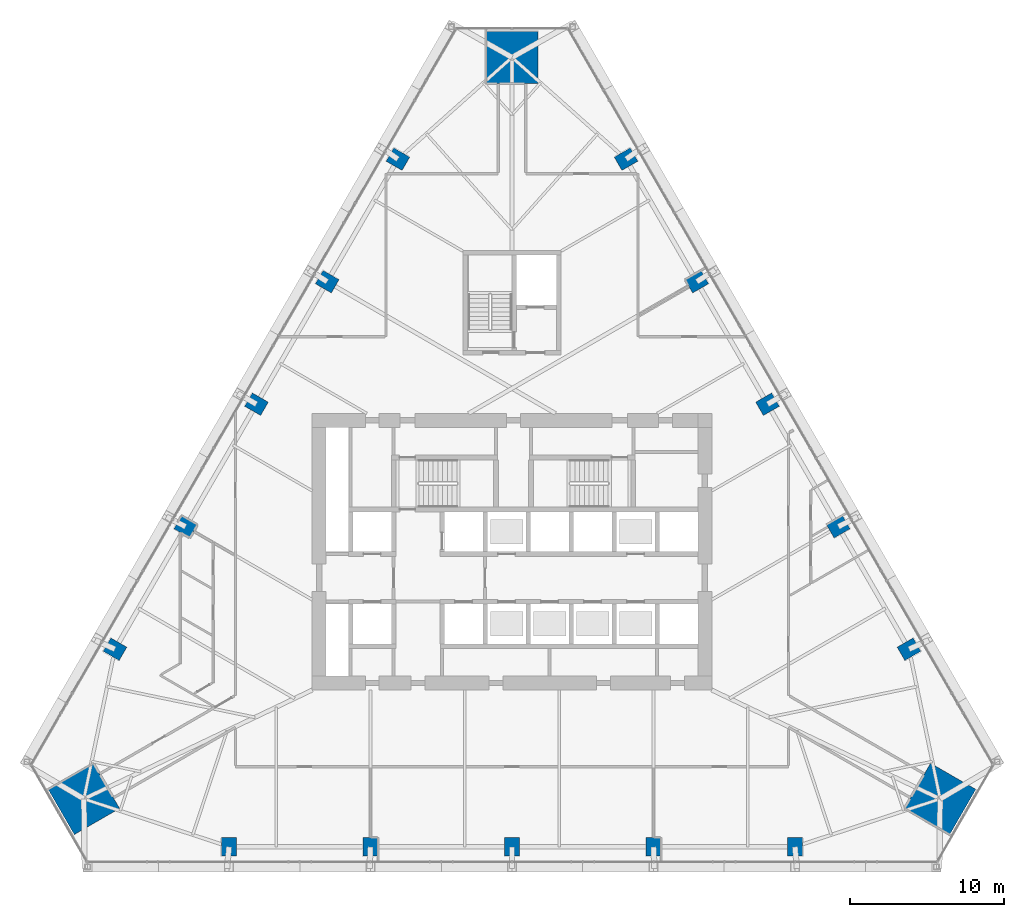
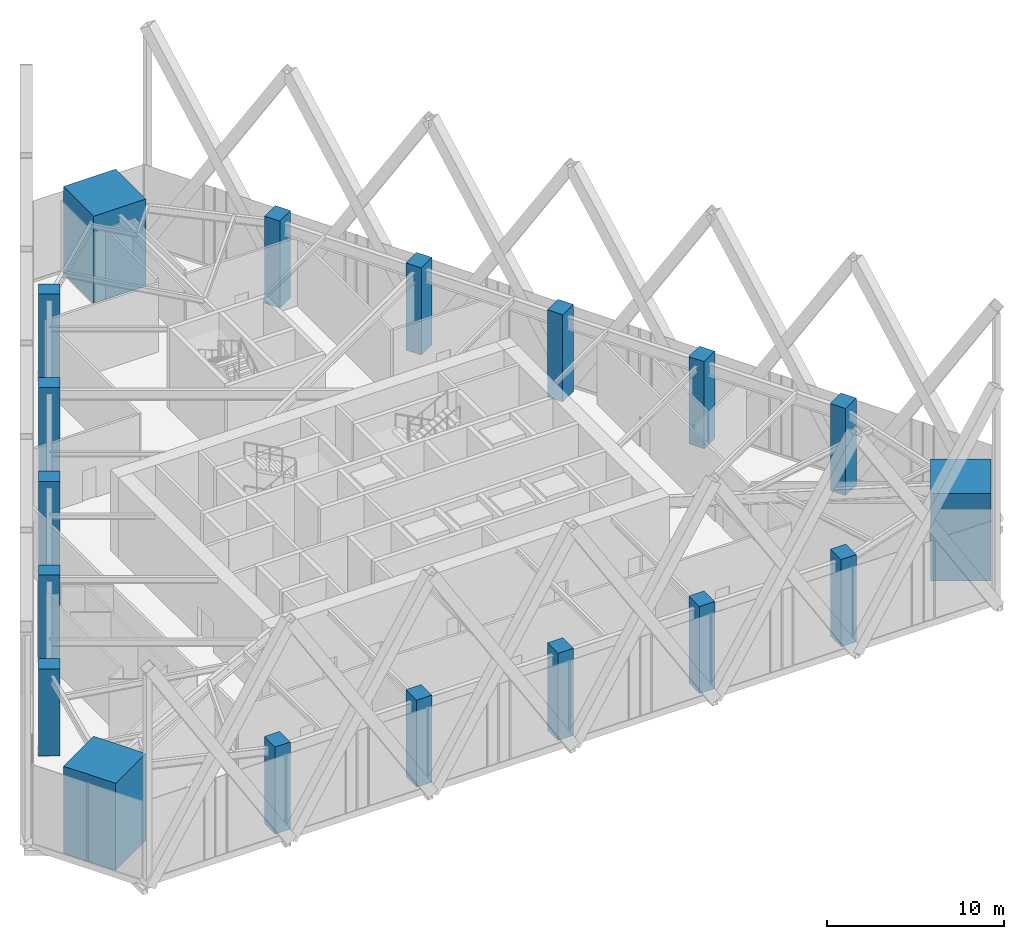
# One storey, part 1 of 21: 18 columns.
"""IFC4 building model written with IfcOpenShell, lengths in metres."""

from ifc_helpers import new_model, si_unit, direction, frame, origin, origin_2d, place, context, subcontext, project, spatial, rectangle, extrude, material, material_profile, profile_set, type_object, element, save


model = new_model("IFC4")

# Units and contexts
model_context = context("Model", 3, precision=1e-05, world=origin(), true_north=direction((0.0, 1.0)))
body_context = subcontext(model_context, "Body", "Model", "MODEL_VIEW")
ifc_project = project(units=[si_unit("LENGTHUNIT", "METRE"), si_unit("AREAUNIT", "SQUARE_METRE"), si_unit("VOLUMEUNIT", "CUBIC_METRE"), si_unit("PLANEANGLEUNIT", "RADIAN"), si_unit("MASSUNIT", "GRAM", prefix="KILO")], contexts=[model_context])

# Site, building, storey
site_placement = place(None, origin())
site = spatial("IfcSite", under=ifc_project, at=site_placement, CompositionType="ELEMENT")
building_placement = place(site_placement, origin())
building = spatial("IfcBuilding", under=site, at=building_placement, Name="Firuza Gate Tower and Library", CompositionType="ELEMENT")
storey_placement = place(building_placement, frame((0.0, 0.0, 140.800048828125)))
storey = spatial("IfcBuildingStorey", under=building, at=storey_placement, Name="L32", CompositionType="ELEMENT", Elevation=140.800048828125)

# Columns
ifc_material_1 = material(Name="Concrete C80/95", Category="concrete")
ifc_material_profile_1 = material_profile(ifc_material_1, rectangle(XDim=3.39990234375, YDim=3.39990234375, at=origin_2d()))
ifc_profile_set_1 = profile_set([ifc_material_profile_1], Name="Concrete C80/95")
column_type_1 = type_object("IfcColumnType", Name="Mega column 3400x3400 C80/95", PredefinedType="COLUMN", material=ifc_profile_set_1)
for number, where, z_axis, x_axis, name in (
    (1, (102.861328125, 58.914306640625, 0.0), (0.0, 0.0, 1.0), (0.5, 0.866025403784, 0.0), "Mega column SE L32"),
    (2, (75.0, 107.171630859375, 0.0), (0.0, 0.0, 1.0), (-1.0, 0.0, 0.0), "Mega column N L32"),
    (3, (47.138671875, 58.914306640625, 0.0), (0.0, 0.0, 1.0), (0.5, -0.866025403784, 0.0), "Mega column SW L32"),
):
    element("IfcColumn", number, at=place(storey_placement, frame(where, z_axis=z_axis, x_axis=x_axis)), inside=storey, type_object=column_type_1, Name=name, PredefinedType="COLUMN", context=body_context, shape_type="SweptSolid", body=[
        extrude(rectangle(XDim=3.39990234375, YDim=3.39990234375, at=origin_2d()), origin(), (0.0, 0.0, 1.0), 6.0),
    ])
ifc_material_2 = material(Name="Concrete C60/75", Category="concrete")
ifc_material_profile_2 = material_profile(ifc_material_2, rectangle(XDim=1.0, YDim=1.199951171875, at=origin_2d()))
ifc_profile_set_2 = profile_set([ifc_material_profile_2], Name="Concrete C60/75")
column_type_2 = type_object("IfcColumnType", Name="Perimeter column 1000x1200 C60/75", PredefinedType="COLUMN", material=ifc_profile_set_2)
for number, where, z_axis, x_axis, name in (
    (4, (56.58642578125, 55.796630859375, -0.00048828125), (0.0, 0.0, 1.0), (1.0, 0.0, 0.0), "Column S1 L32"),
    (5, (65.793212890625, 55.796630859375, -0.00048828125), (0.0, 0.0, 1.0), (1.0, 0.0, 0.0), "Column S2 L32"),
    (6, (75.0, 55.796630859375, -0.00048828125), (0.0, 0.0, 1.0), (1.0, 0.0, 0.0), "Column S3 L32"),
    (7, (84.206787109375, 55.796630859375, -0.00048828125), (0.0, 0.0, 1.0), (1.0, 0.0, 0.0), "Column S4 L32"),
    (8, (93.41357421875, 55.796630859375, -0.00048828125), (0.0, 0.0, 1.0), (1.0, 0.0, 0.0), "Column S5 L32"),
    (9, (100.83740234375, 68.6552734375, -0.00048828125), (0.0, 0.0, 1.0), (-0.5, 0.866025403784, 0.0), "Column E1 L32"),
    (10, (96.234130859375, 76.62841796875, -0.00048828125), (0.0, 0.0, 1.0), (-0.5, 0.866025403784, 0.0), "Column E2 L32"),
    (11, (91.630615234375, 84.601806640625, -0.00048828125), (0.0, 0.0, 1.0), (-0.5, 0.866025403784, 0.0), "Column E3 L32"),
    (12, (87.02734375, 92.574951171875, -0.00048828125), (0.0, 0.0, 1.0), (-0.5, 0.866025403784, 0.0), "Column E4 L32"),
    (13, (82.423828125, 100.54833984375, -0.00048828125), (0.0, 0.0, 1.0), (-0.5, 0.866025403784, 0.0), "Column E5 L32"),
    (14, (67.576171875, 100.54833984375, -0.00048828125), (0.0, 0.0, 1.0), (-0.5, -0.866025403784, 0.0), "Column W1 L32"),
    (15, (62.97265625, 92.574951171875, -0.00048828125), (0.0, 0.0, 1.0), (-0.5, -0.866025403784, 0.0), "Column W2 L32"),
    (16, (58.369384765625, 84.601806640625, -0.00048828125), (0.0, 0.0, 1.0), (-0.5, -0.866025403784, 0.0), "Column W3 L32"),
    (17, (53.765869140625, 76.62841796875, -0.00048828125), (0.0, 0.0, 1.0), (-0.5, -0.866025403784, 0.0), "Column W4 L32"),
    (18, (49.16259765625, 68.6552734375, -0.00048828125), (0.0, 0.0, 1.0), (-0.5, -0.866025403784, 0.0), "Column W5 L32"),
):
    element("IfcColumn", number, at=place(storey_placement, frame(where, z_axis=z_axis, x_axis=x_axis)), inside=storey, type_object=column_type_2, Name=name, PredefinedType="COLUMN", context=body_context, shape_type="SweptSolid", body=[
        extrude(rectangle(XDim=1.0, YDim=1.199951171875, at=origin_2d()), origin(), (0.0, 0.0, 1.0), 6.00048828125),
    ])

save(model, "model.ifc")
